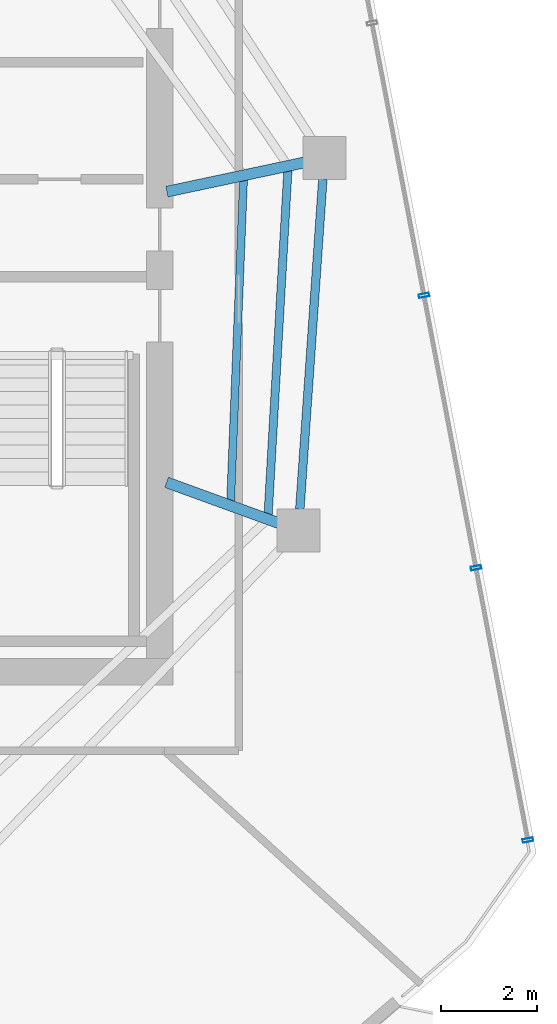
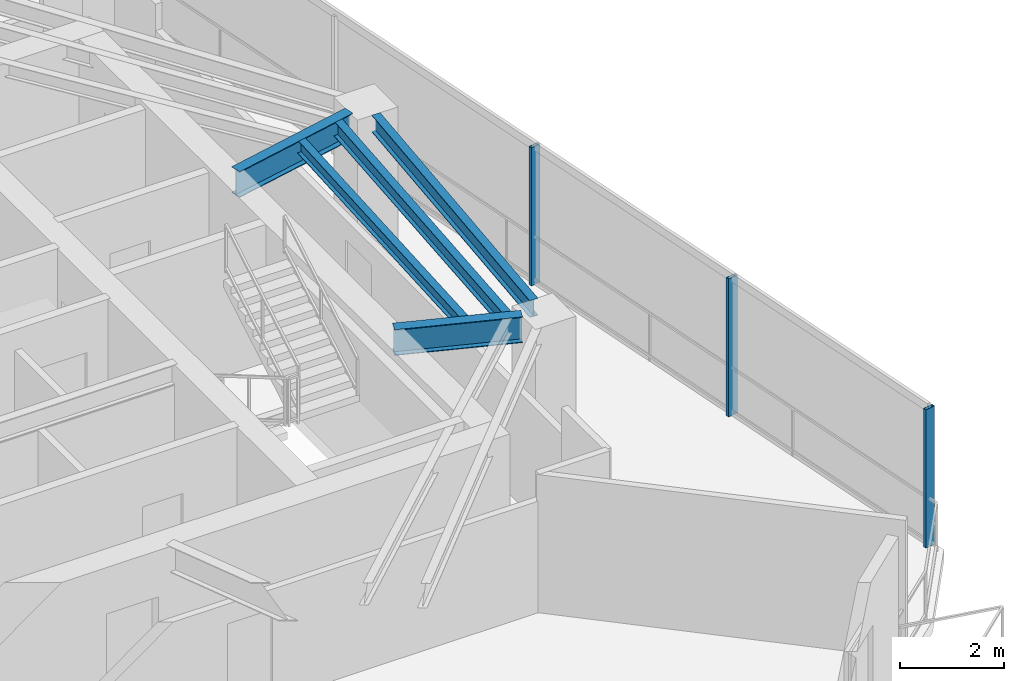
# One storey, part 9 of 18: 5 beams, 3 members, 1 element without a shape of its own.
"""IFC4 building model written with IfcOpenShell, lengths in metres."""

from ifc_helpers import new_model, si_unit, direction, frame, origin, origin_2d, place, context, subcontext, project, spatial, hollow_rectangle, i_section, extrude, material, layer, layer_set, material_profile, profile_set, type_object, element, aggregate, save


model = new_model("IFC4")

# Units and contexts
model_context = context("Model", 3, precision=1e-05, world=origin(), true_north=direction((0.0, 1.0)))
body_context = subcontext(model_context, "Body", "Model", "MODEL_VIEW")
ifc_project = project(units=[si_unit("LENGTHUNIT", "METRE"), si_unit("AREAUNIT", "SQUARE_METRE"), si_unit("VOLUMEUNIT", "CUBIC_METRE"), si_unit("PLANEANGLEUNIT", "RADIAN"), si_unit("MASSUNIT", "GRAM", prefix="KILO")], contexts=[model_context])

# Site, building, storey
site_placement = place(None, origin())
site = spatial("IfcSite", under=ifc_project, at=site_placement, CompositionType="ELEMENT")
building_placement = place(site_placement, origin())
building = spatial("IfcBuilding", under=site, at=building_placement, Name="Qarnah Convention Tower", CompositionType="ELEMENT")
storey_placement = place(building_placement, frame((0.0, 0.0, 220.199951171875)))
storey = spatial("IfcBuildingStorey", under=building, at=storey_placement, Name="L59", CompositionType="ELEMENT", Elevation=220.199951171875)

# Beams
ifc_material_1 = material(Name="Structural steel S355JR", Category="steel")
ifc_material_profile_1 = material_profile(ifc_material_1, i_section(OverallWidth=0.166015625, OverallDepth=0.31201171875, WebThickness=0.007080078125, FlangeThickness=0.010986328125, at=origin_2d()), Name="W310X45")
ifc_profile_set_1 = profile_set([ifc_material_profile_1], Name="Structural steel S355JR")
beam_type_1 = type_object("IfcBeamType", Name="BM-JST-W310", PredefinedType="JOIST", material=ifc_profile_set_1)
beam_1_placement = place(storey_placement, frame((49.0810546875, 22.166015625, 3.083984375), z_axis=(0.040101253975, 0.999195621202, 0.0), x_axis=(-0.999195621202, 0.040101253975, 0.0)))
element("IfcBeam", 1, at=beam_1_placement, inside=storey, type_object=beam_type_1, Name="L59 joist BM-L59-IJST-09", PredefinedType="JOIST", context=body_context, shape_type="SweptSolid", body=[
    extrude(i_section(OverallWidth=0.166015625, OverallDepth=0.31201171875, WebThickness=0.007080078125, FlangeThickness=0.010986328125, at=origin_2d()), origin(), (0.0, 0.0, 1.0), 6.7333984375),
])
ifc_material_profile_2 = material_profile(ifc_material_1, i_section(OverallWidth=0.172119140625, OverallDepth=0.35595703125, WebThickness=0.007080078125, FlangeThickness=0.011962890625, at=origin_2d()), Name="W360X51")
ifc_profile_set_2 = profile_set([ifc_material_profile_2], Name="Structural steel S355JR")
beam_type_2 = type_object("IfcBeamType", Name="BM-JST-W360", PredefinedType="JOIST", material=ifc_profile_set_2)
beam_2_placement = place(storey_placement, frame((49.864990234375, 21.882080078125, 3.06201171875), z_axis=(0.057342500082, 0.998354565114, 0.0), x_axis=(-0.998354565114, 0.057342500082, 0.0)))
element("IfcBeam", 2, at=beam_2_placement, inside=storey, type_object=beam_type_2, Name="L59 joist BM-L59-SJST-09", PredefinedType="JOIST", context=body_context, shape_type="SweptSolid", body=[
    extrude(i_section(OverallWidth=0.172119140625, OverallDepth=0.35595703125, WebThickness=0.007080078125, FlangeThickness=0.011962890625, at=origin_2d()), origin(), (0.0, 0.0, 1.0), 7.220947265625),
])
ifc_material_profile_3 = material_profile(ifc_material_1, i_section(OverallWidth=0.22802734375, OverallDepth=0.60791015625, WebThickness=0.010986328125, FlangeThickness=0.01708984375, at=origin_2d()), Name="W610X113")
ifc_profile_set_3 = profile_set([ifc_material_profile_3], Name="Structural steel S355JR")
beam_type_3 = type_object("IfcBeamType", Name="BM-RAD-W610B", PredefinedType="BEAM", material=ifc_profile_set_3)
beam_3_placement = place(storey_placement, frame((47.7470703125, 28.64208984375, 2.93603515625), z_axis=(0.978136876062, 0.207962140033, 0.0), x_axis=(-0.207962140033, 0.978136876062, 0.0)))
element("IfcBeam", 3, at=beam_3_placement, inside=storey, type_object=beam_type_3, Name="L59 beam BM-L59-RAD-01", PredefinedType="BEAM", context=body_context, shape_type="SweptSolid", body=[
    extrude(i_section(OverallWidth=0.22802734375, OverallDepth=0.60791015625, WebThickness=0.010986328125, FlangeThickness=0.01708984375, at=origin_2d()), origin(), (0.0, 0.0, 1.0), 2.937255859375),
])
beam_4_placement = place(storey_placement, frame((47.740966796875, 22.56298828125, 2.93603515625), z_axis=(0.939707956932, -0.341978004671, 0.0), x_axis=(0.341978004671, 0.939707956932, 0.0)))
element("IfcBeam", 4, at=beam_4_placement, inside=storey, type_object=beam_type_3, Name="L59 beam BM-L59-RAD-09", PredefinedType="BEAM", context=body_context, shape_type="SweptSolid", body=[
    extrude(i_section(OverallWidth=0.22802734375, OverallDepth=0.60791015625, WebThickness=0.010986328125, FlangeThickness=0.01708984375, at=origin_2d()), origin(), (0.0, 0.0, 1.0), 2.5029296875),
])
ifc_material_profile_4 = material_profile(ifc_material_1, i_section(OverallWidth=0.179931640625, OverallDepth=0.39990234375, WebThickness=0.009033203125, FlangeThickness=0.013916015625, at=origin_2d()), Name="IPE400")
ifc_profile_set_4 = profile_set([ifc_material_profile_4], Name="Structural steel S355JR")
beam_type_4 = type_object("IfcBeamType", Name="BM-SPN-IPE400", PredefinedType="SPANDREL", material=ifc_profile_set_4)
beam_5_placement = place(storey_placement, frame((50.528076171875, 21.9990234375, 3.0400390625), z_axis=(0.069635000818, 0.997572537042, 0.0), x_axis=(-0.997572537042, 0.069635000818, 0.0)))
element("IfcBeam", 5, at=beam_5_placement, inside=storey, type_object=beam_type_4, Name="L59 spandrel BM-L59-SPN-09", PredefinedType="SPANDREL", context=body_context, shape_type="SweptSolid", body=[
    extrude(i_section(OverallWidth=0.179931640625, OverallDepth=0.39990234375, WebThickness=0.009033203125, FlangeThickness=0.013916015625, at=origin_2d()), origin(), (0.0, 0.0, 1.0), 6.9208984375),
])

# Curtain wall, members
ifc_material_2 = material(Name="Tempered Low-E dark glass", Category="glass")
ifc_layer = layer(ifc_material_2, 0.174072265625)
ifc_layer_set = layer_set([ifc_layer], Name="Tempered Low-E dark glass")
curtain_wall_type = type_object("IfcCurtainWallType", Name="CWS-04", PredefinedType="NOTDEFINED", material=ifc_layer_set)
curtain_wall_placement = place(storey_placement, origin())
curtain_wall = element("IfcCurtainWall", 6, at=curtain_wall_placement, inside=storey, type_object=curtain_wall_type, Name="L59 unitised curtain wall CW-L59-F3", PredefinedType="NOTDEFINED")
ifc_material_3 = material(Name="Black anodised aluminium", Category="aluminium")
ifc_material_profile_5 = material_profile(ifc_material_3, hollow_rectangle(XDim=0.074951171875, YDim=0.219970703125, WallThickness=0.0048828125, at=origin_2d()), Name="MUL-75X220")
ifc_profile_set_5 = profile_set([ifc_material_profile_5], Name="Black anodised aluminium")
member_type = type_object("IfcMemberType", Name="MUL-T4", PredefinedType="MULLION", material=ifc_profile_set_5)
member_1_placement = place(storey_placement, frame((53.12646484375, 26.472900390625, 0.0), z_axis=(0.0, 0.0, 1.0), x_axis=(0.187406876445, -0.982282374199, 0.0)))
member_1 = element("IfcMember", 7, at=member_1_placement, type_object=member_type, Name="CW-L59-F3 mullion 4", PredefinedType="MULLION", context=body_context, shape_type="SweptSolid", body=[
    extrude(hollow_rectangle(XDim=0.074951171875, YDim=0.219970703125, WallThickness=0.0048828125, at=origin_2d()), origin(), (0.0, 0.0, 1.0), 3.239990234375),
])
member_2_placement = place(storey_placement, frame((54.213134765625, 20.7763671875, 0.0), z_axis=(0.0, 0.0, 1.0), x_axis=(0.187406876445, -0.982282374199, 0.0)))
member_2 = element("IfcMember", 8, at=member_2_placement, type_object=member_type, Name="CW-L59-F3 mullion 5", PredefinedType="MULLION", context=body_context, shape_type="SweptSolid", body=[
    extrude(hollow_rectangle(XDim=0.074951171875, YDim=0.219970703125, WallThickness=0.0048828125, at=origin_2d()), origin(), (0.0, 0.0, 1.0), 3.239990234375),
])
member_3_placement = place(storey_placement, frame((55.300048828125, 15.080078125, 0.0), z_axis=(0.0, 0.0, 1.0), x_axis=(0.187406876445, -0.982282374199, 0.0)))
member_3 = element("IfcMember", 9, at=member_3_placement, type_object=member_type, Name="CW-L59-F3 mullion 6", PredefinedType="MULLION", context=body_context, shape_type="SweptSolid", body=[
    extrude(hollow_rectangle(XDim=0.074951171875, YDim=0.219970703125, WallThickness=0.0048828125, at=origin_2d()), origin(), (0.0, 0.0, 1.0), 3.239990234375),
])
aggregate(curtain_wall, [member_1, member_2, member_3])

save(model, "model.ifc")
